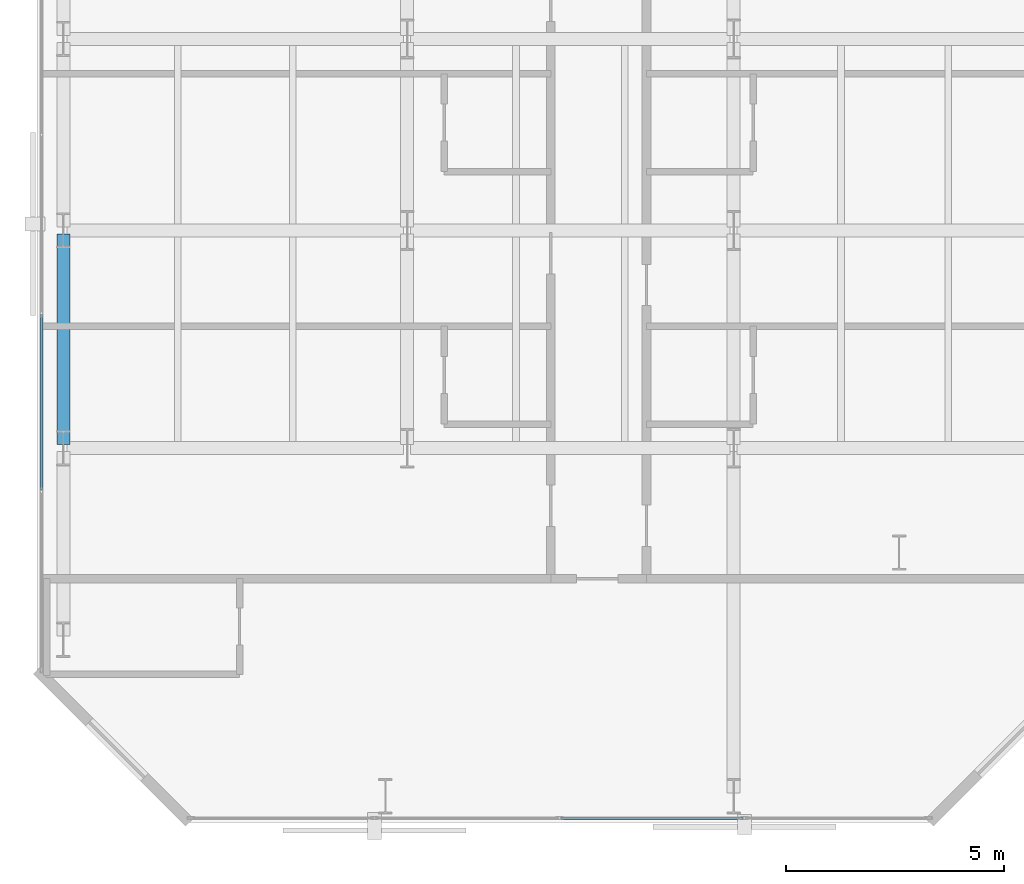
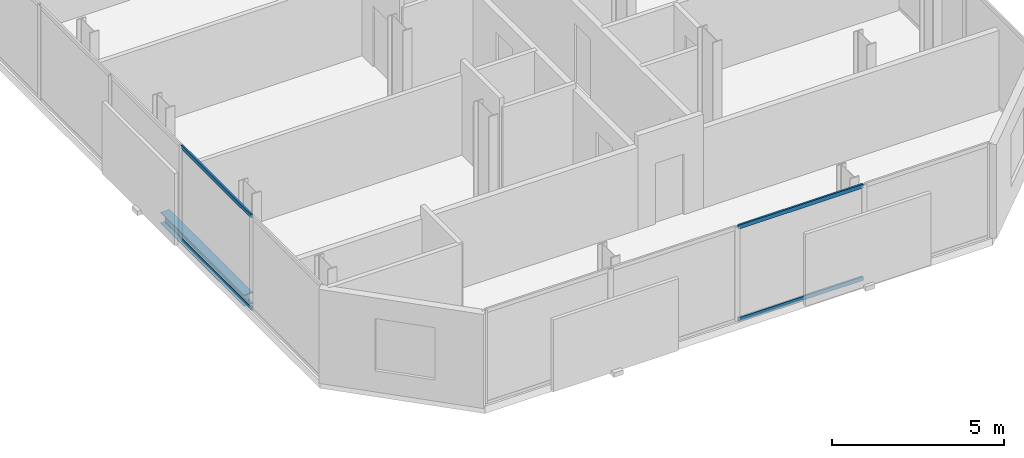
# One storey, part 4 of 33: 4 members, 1 beam, 2 elements without a shape of their own.
"""IFC4 building model written with IfcOpenShell, lengths in metres."""

from ifc_helpers import new_model, si_unit, direction, frame, origin, origin_2d, place, context, subcontext, project, spatial, hollow_rectangle, i_section, extrude, material, layer, layer_set, material_profile, profile_set, type_object, element, aggregate, save


model = new_model("IFC4")

# Units and contexts
model_context = context("Model", 3, precision=1e-05, world=origin(), true_north=direction((0.0, 1.0)))
body_context = subcontext(model_context, "Body", "Model", "MODEL_VIEW")
ifc_project = project(units=[si_unit("LENGTHUNIT", "METRE"), si_unit("AREAUNIT", "SQUARE_METRE"), si_unit("VOLUMEUNIT", "CUBIC_METRE"), si_unit("PLANEANGLEUNIT", "RADIAN"), si_unit("MASSUNIT", "GRAM", prefix="KILO")], contexts=[model_context])

# Site, building, storey
site_placement = place(None, origin())
site = spatial("IfcSite", under=ifc_project, at=site_placement, CompositionType="ELEMENT")
building_placement = place(site_placement, origin())
building = spatial("IfcBuilding", under=site, at=building_placement, Name="Catumbela Crestline Tower", CompositionType="ELEMENT")
storey_placement = place(building_placement, frame((0.0, 0.0, 72.6)))
storey = spatial("IfcBuildingStorey", under=building, at=storey_placement, Name="L18", CompositionType="ELEMENT", Elevation=72.6)

# Beam
ifc_material_1 = material(Name="Structural steel S355J2", Category="steel")
ifc_material_profile_1 = material_profile(ifc_material_1, i_section(OverallWidth=0.3, OverallDepth=0.4, WebThickness=0.0135, FlangeThickness=0.024, FilletRadius=0.027, at=origin_2d()), Name="HEB 400")
ifc_profile_set_1 = profile_set([ifc_material_profile_1], Name="Structural steel S355J2")
beam_type = type_object("IfcBeamType", Name="BS-HEB400", PredefinedType="SPANDREL", material=ifc_profile_set_1)
beam_placement = place(storey_placement, frame((0.6, 8.68, -0.46), z_axis=(0.0, 1.0, 0.0), x_axis=(-1.0, 0.0, 0.0)))
element("IfcBeam", 1, at=beam_placement, inside=storey, type_object=beam_type, Name="L18 Spandrel SP-L18-WNS58", PredefinedType="SPANDREL", context=body_context, shape_type="SweptSolid", body=[
    extrude(i_section(OverallWidth=0.3, OverallDepth=0.4, WebThickness=0.0135, FlangeThickness=0.024, FilletRadius=0.027, at=origin_2d()), origin(), (0.0, 0.0, 1.0), 4.84),
])

# Curtain wall, members
ifc_material_2 = material(Name="Aluminium alloy AW-6060-T66", Category="aluminium")
ifc_layer = layer(ifc_material_2, 0.18, Name="Aluminium alloy AW-6060-T66")
ifc_layer_set = layer_set([ifc_layer], Name="Aluminium alloy AW-6060-T66")
curtain_wall_type = type_object("IfcCurtainWallType", Name="CWU-Z1", PredefinedType="USERDEFINED", material=ifc_layer_set)
curtain_wall_1_placement = place(storey_placement, origin())
curtain_wall_1 = element("IfcCurtainWall", 2, at=curtain_wall_1_placement, inside=storey, type_object=curtain_wall_type, Name="L18 Unitised Curtain Wall CW-L18-E0S1", ObjectType="UNITISED", PredefinedType="USERDEFINED")
ifc_material_profile_2 = material_profile(ifc_material_2, hollow_rectangle(XDim=0.06, YDim=0.14, WallThickness=0.004, at=origin_2d()), Name="ALU 140x60x4")
ifc_profile_set_2 = profile_set([ifc_material_profile_2], Name="Aluminium alloy AW-6060-T66")
member_type = type_object("IfcMemberType", Name="TRN-140X60", PredefinedType="USERDEFINED", material=ifc_profile_set_2)
member_1_placement = place(storey_placement, frame((12.0325, 0.1, 0.03), z_axis=(1.0, 0.0, 0.0), x_axis=(0.0, 1.0, 0.0)))
member_1 = element("IfcMember", 3, at=member_1_placement, type_object=member_type, Name="CWU-Z1 transom 3.1", ObjectType="TRANSOM", PredefinedType="USERDEFINED", context=body_context, shape_type="SweptSolid", body=[
    extrude(hollow_rectangle(XDim=0.06, YDim=0.14, WallThickness=0.004, at=origin_2d()), origin(), (0.0, 0.0, 1.0), 4.185),
])
member_2_placement = place(storey_placement, frame((12.0325, 0.1, 3.3), z_axis=(1.0, 0.0, 0.0), x_axis=(0.0, 1.0, 0.0)))
member_2 = element("IfcMember", 4, at=member_2_placement, type_object=member_type, Name="CWU-Z1 transom 3.2", ObjectType="TRANSOM", PredefinedType="USERDEFINED", context=body_context, shape_type="SweptSolid", body=[
    extrude(hollow_rectangle(XDim=0.06, YDim=0.14, WallThickness=0.004, at=origin_2d()), origin(), (0.0, 0.0, 1.0), 4.185),
])
aggregate(curtain_wall_1, [member_1, member_2])

curtain_wall_2_placement = place(storey_placement, origin())
curtain_wall_2 = element("IfcCurtainWall", 5, at=curtain_wall_2_placement, inside=storey, type_object=curtain_wall_type, Name="L18 Unitised Curtain Wall CW-L18-E9S1", ObjectType="UNITISED", PredefinedType="USERDEFINED")
member_3_placement = place(storey_placement, frame((0.1, 11.6675, 0.03), z_axis=(0.0, -1.0, 0.0), x_axis=(1.0, 0.0, 0.0)))
member_3 = element("IfcMember", 6, at=member_3_placement, type_object=member_type, Name="CWU-Z1 transom 9.1", ObjectType="TRANSOM", PredefinedType="USERDEFINED", context=body_context, shape_type="SweptSolid", body=[
    extrude(hollow_rectangle(XDim=0.06, YDim=0.14, WallThickness=0.004, at=origin_2d()), origin(), (0.0, 0.0, 1.0), 4.035),
])
member_4_placement = place(storey_placement, frame((0.1, 11.6675, 3.3), z_axis=(0.0, -1.0, 0.0), x_axis=(1.0, 0.0, 0.0)))
member_4 = element("IfcMember", 7, at=member_4_placement, type_object=member_type, Name="CWU-Z1 transom 9.2", ObjectType="TRANSOM", PredefinedType="USERDEFINED", context=body_context, shape_type="SweptSolid", body=[
    extrude(hollow_rectangle(XDim=0.06, YDim=0.14, WallThickness=0.004, at=origin_2d()), origin(), (0.0, 0.0, 1.0), 4.035),
])
aggregate(curtain_wall_2, [member_3, member_4])

save(model, "model.ifc")
